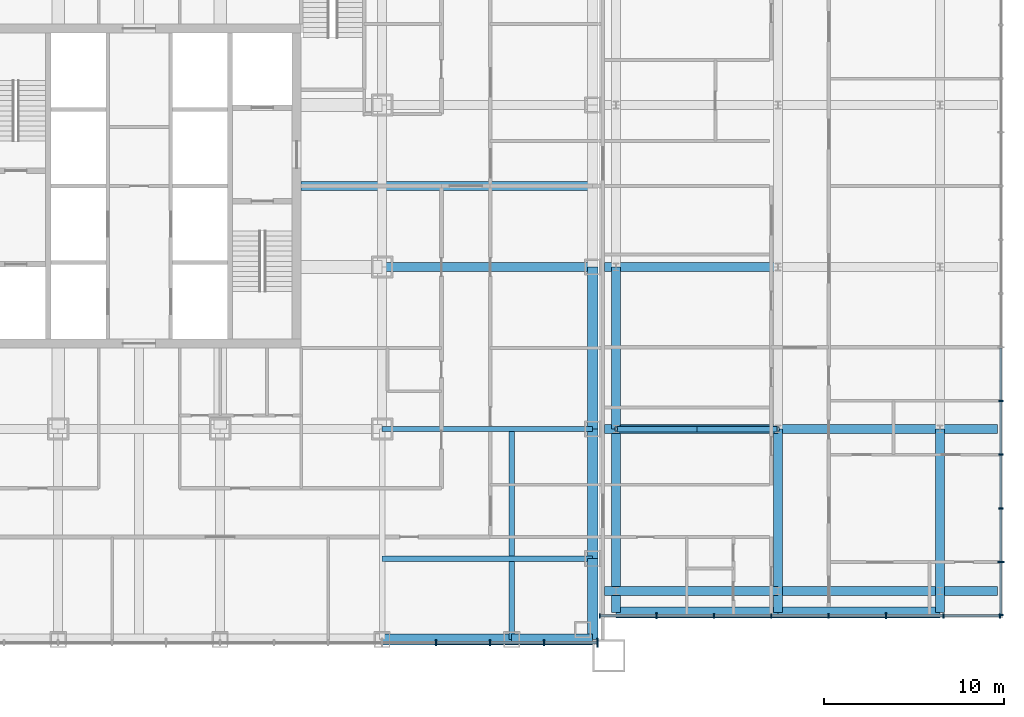
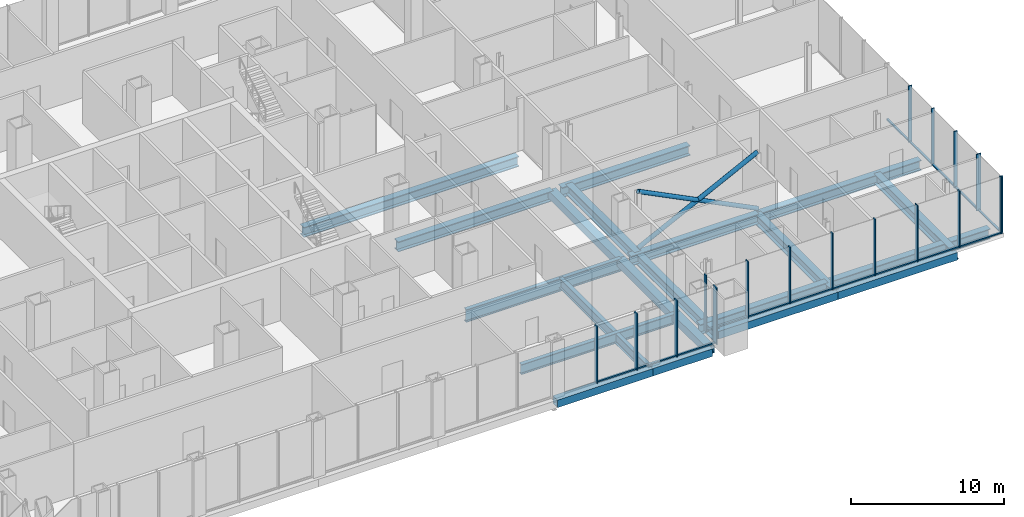
# One storey, part 10 of 25: 34 members, 21 beams, 3 elements without a shape of their own.
"""IFC4 building model written with IfcOpenShell, lengths in metres."""

from ifc_helpers import new_model, si_unit, direction, frame, origin, origin_2d, place, context, subcontext, project, spatial, rectangle, hollow_rectangle, hollow_circle, i_section, extrude, material, layer, layer_set, material_profile, profile_set, type_object, element, aggregate, save


model = new_model("IFC4")

# Units and contexts
model_context = context("Model", 3, precision=1e-05, world=origin(), true_north=direction((0.0, 1.0)))
body_context = subcontext(model_context, "Body", "Model", "MODEL_VIEW")
ifc_project = project(units=[si_unit("LENGTHUNIT", "METRE"), si_unit("AREAUNIT", "SQUARE_METRE"), si_unit("VOLUMEUNIT", "CUBIC_METRE"), si_unit("PLANEANGLEUNIT", "RADIAN"), si_unit("MASSUNIT", "GRAM", prefix="KILO")], contexts=[model_context])

# Site, building, storey
site_placement = place(None, origin())
site = spatial("IfcSite", under=ifc_project, at=site_placement, CompositionType="ELEMENT")
building_placement = place(site_placement, origin())
building = spatial("IfcBuilding", under=site, at=building_placement, Name="Malebo Sky Hospital", CompositionType="ELEMENT")
storey_placement = place(building_placement, frame((0.0, 0.0, 16.5)))
storey = spatial("IfcBuildingStorey", under=building, at=storey_placement, Name="L03", CompositionType="ELEMENT", Elevation=16.5)

# Curtain wall, members
ifc_material_1 = material(Name="Anodised aluminium, natural silver", Category="aluminium")
ifc_layer_1 = layer(ifc_material_1, 0.25)
ifc_layer_set_1 = layer_set([ifc_layer_1], Name="PODIUM ENTRANCE BAY CURTAIN WALL")
curtain_wall_type_1 = type_object("IfcCurtainWallType", Name="PODIUM ENTRANCE BAY CURTAIN WALL", PredefinedType="NOTDEFINED", material=ifc_layer_set_1)
curtain_wall_1_placement = place(storey_placement, origin())
curtain_wall_1 = element("IfcCurtainWall", 1, at=curtain_wall_1_placement, inside=storey, type_object=curtain_wall_type_1, Name="BAY curtain wall BS", PredefinedType="NOTDEFINED")
ifc_material_profile_1 = material_profile(ifc_material_1, rectangle(XDim=0.14990234375, YDim=0.10009765625, at=origin_2d()), Name="ALUMINIUM TRANSOM 150x100")
ifc_profile_set_1 = profile_set([ifc_material_profile_1], Name="Anodised aluminium, natural silver")
member_type_1 = type_object("IfcMemberType", Name="ALUMINIUM TRANSOM 150x100", PredefinedType="USERDEFINED", material=ifc_profile_set_1)
member_1_placement = place(storey_placement, frame((76.53759765625, 36.625, 0.050048828125), z_axis=(1.0, 0.0, 0.0), x_axis=(0.0, 1.0, 0.0)))
member_1 = element("IfcMember", 2, at=member_1_placement, type_object=member_type_1, Name="Transom 15", ObjectType="TRANSOM", PredefinedType="USERDEFINED", context=body_context, shape_type="SweptSolid", body=[
    extrude(rectangle(XDim=0.14990234375, YDim=0.10009765625, at=origin_2d()), origin(), (0.0, 0.0, 1.0), 2.9248046875),
])
member_2_placement = place(storey_placement, frame((79.53759765625, 36.625, 0.050048828125), z_axis=(1.0, 0.0, 0.0), x_axis=(0.0, 1.0, 0.0)))
member_2 = element("IfcMember", 3, at=member_2_placement, type_object=member_type_1, Name="Transom 16", ObjectType="TRANSOM", PredefinedType="USERDEFINED", context=body_context, shape_type="SweptSolid", body=[
    extrude(rectangle(XDim=0.14990234375, YDim=0.10009765625, at=origin_2d()), origin(), (0.0, 0.0, 1.0), 2.9248046875),
])
member_3_placement = place(storey_placement, frame((82.53759765625, 36.625, 0.050048828125), z_axis=(1.0, 0.0, 0.0), x_axis=(0.0, 1.0, 0.0)))
member_3 = element("IfcMember", 4, at=member_3_placement, type_object=member_type_1, Name="Transom 17", ObjectType="TRANSOM", PredefinedType="USERDEFINED", context=body_context, shape_type="SweptSolid", body=[
    extrude(rectangle(XDim=0.14990234375, YDim=0.10009765625, at=origin_2d()), origin(), (0.0, 0.0, 1.0), 2.887451171875),
])

ifc_layer_2 = layer(ifc_material_1, 0.25)
ifc_layer_set_2 = layer_set([ifc_layer_2], Name="PODIUM CURTAIN WALL")
curtain_wall_type_2 = type_object("IfcCurtainWallType", Name="PODIUM CURTAIN WALL", PredefinedType="NOTDEFINED", material=ifc_layer_set_2)
curtain_wall_2_placement = place(storey_placement, origin())
curtain_wall_2 = element("IfcCurtainWall", 5, at=curtain_wall_2_placement, inside=storey, type_object=curtain_wall_type_2, Name="POD curtain wall ES", PredefinedType="NOTDEFINED")
member_4_placement = place(storey_placement, frame((85.625, 38.125, 0.050048828125), z_axis=(1.0, 0.0, 0.0), x_axis=(0.0, 1.0, 0.0)))
member_4 = element("IfcMember", 6, at=member_4_placement, type_object=member_type_1, Name="Transom 1", ObjectType="TRANSOM", PredefinedType="USERDEFINED", context=body_context, shape_type="SweptSolid", body=[
    extrude(rectangle(XDim=0.14990234375, YDim=0.10009765625, at=origin_2d()), origin(), (0.0, 0.0, 1.0), 3.076904296875),
])
member_5_placement = place(storey_placement, frame((88.77685546875, 38.125, 0.050048828125), z_axis=(1.0, 0.0, 0.0), x_axis=(0.0, 1.0, 0.0)))
member_5 = element("IfcMember", 7, at=member_5_placement, type_object=member_type_1, Name="Transom 2", ObjectType="TRANSOM", PredefinedType="USERDEFINED", context=body_context, shape_type="SweptSolid", body=[
    extrude(rectangle(XDim=0.14990234375, YDim=0.10009765625, at=origin_2d()), origin(), (0.0, 0.0, 1.0), 3.1142578125),
])
member_6_placement = place(storey_placement, frame((91.966064453125, 38.125, 0.050048828125), z_axis=(1.0, 0.0, 0.0), x_axis=(0.0, 1.0, 0.0)))
member_6 = element("IfcMember", 8, at=member_6_placement, type_object=member_type_1, Name="Transom 3", ObjectType="TRANSOM", PredefinedType="USERDEFINED", context=body_context, shape_type="SweptSolid", body=[
    extrude(rectangle(XDim=0.14990234375, YDim=0.10009765625, at=origin_2d()), origin(), (0.0, 0.0, 1.0), 3.1142578125),
])
member_7_placement = place(storey_placement, frame((95.155517578125, 38.125, 0.050048828125), z_axis=(1.0, 0.0, 0.0), x_axis=(0.0, 1.0, 0.0)))
member_7 = element("IfcMember", 9, at=member_7_placement, type_object=member_type_1, Name="Transom 4", ObjectType="TRANSOM", PredefinedType="USERDEFINED", context=body_context, shape_type="SweptSolid", body=[
    extrude(rectangle(XDim=0.14990234375, YDim=0.10009765625, at=origin_2d()), origin(), (0.0, 0.0, 1.0), 3.114013671875),
])
member_8_placement = place(storey_placement, frame((98.344482421875, 38.125, 0.050048828125), z_axis=(1.0, 0.0, 0.0), x_axis=(0.0, 1.0, 0.0)))
member_8 = element("IfcMember", 10, at=member_8_placement, type_object=member_type_1, Name="Transom 5", ObjectType="TRANSOM", PredefinedType="USERDEFINED", context=body_context, shape_type="SweptSolid", body=[
    extrude(rectangle(XDim=0.14990234375, YDim=0.10009765625, at=origin_2d()), origin(), (0.0, 0.0, 1.0), 3.114501953125),
])
member_9_placement = place(storey_placement, frame((101.533935546875, 38.125, 0.050048828125), z_axis=(1.0, 0.0, 0.0), x_axis=(0.0, 1.0, 0.0)))
member_9 = element("IfcMember", 11, at=member_9_placement, type_object=member_type_1, Name="Transom 6", ObjectType="TRANSOM", PredefinedType="USERDEFINED", context=body_context, shape_type="SweptSolid", body=[
    extrude(rectangle(XDim=0.14990234375, YDim=0.10009765625, at=origin_2d()), origin(), (0.0, 0.0, 1.0), 3.1142578125),
])
member_10_placement = place(storey_placement, frame((104.72314453125, 38.125, 0.050048828125), z_axis=(1.0, 0.0, 0.0), x_axis=(0.0, 1.0, 0.0)))
member_10 = element("IfcMember", 12, at=member_10_placement, type_object=member_type_1, Name="Transom 7", ObjectType="TRANSOM", PredefinedType="USERDEFINED", context=body_context, shape_type="SweptSolid", body=[
    extrude(rectangle(XDim=0.14990234375, YDim=0.10009765625, at=origin_2d()), origin(), (0.0, 0.0, 1.0), 3.076904296875),
])

curtain_wall_3_placement = place(storey_placement, origin())
curtain_wall_3 = element("IfcCurtainWall", 13, at=curtain_wall_3_placement, inside=storey, type_object=curtain_wall_type_2, Name="POD curtain wall EE", PredefinedType="NOTDEFINED")
member_11_placement = place(storey_placement, frame((107.875, 38.199951171875, 0.050048828125), z_axis=(0.0, 1.0, 0.0), x_axis=(-1.0, 0.0, 0.0)))
member_11 = element("IfcMember", 14, at=member_11_placement, type_object=member_type_1, Name="Transom 1", ObjectType="TRANSOM", PredefinedType="USERDEFINED", context=body_context, shape_type="SweptSolid", body=[
    extrude(rectangle(XDim=0.14990234375, YDim=0.10009765625, at=origin_2d()), origin(), (0.0, 0.0, 1.0), 2.8720703125),
])
member_12_placement = place(storey_placement, frame((107.875, 41.14697265625, 0.050048828125), z_axis=(0.0, 1.0, 0.0), x_axis=(-1.0, 0.0, 0.0)))
member_12 = element("IfcMember", 15, at=member_12_placement, type_object=member_type_1, Name="Transom 2", ObjectType="TRANSOM", PredefinedType="USERDEFINED", context=body_context, shape_type="SweptSolid", body=[
    extrude(rectangle(XDim=0.14990234375, YDim=0.10009765625, at=origin_2d()), origin(), (0.0, 0.0, 1.0), 2.909423828125),
])
member_13_placement = place(storey_placement, frame((107.875, 44.13134765625, 0.050048828125), z_axis=(0.0, 1.0, 0.0), x_axis=(-1.0, 0.0, 0.0)))
member_13 = element("IfcMember", 16, at=member_13_placement, type_object=member_type_1, Name="Transom 3", ObjectType="TRANSOM", PredefinedType="USERDEFINED", context=body_context, shape_type="SweptSolid", body=[
    extrude(rectangle(XDim=0.14990234375, YDim=0.10009765625, at=origin_2d()), origin(), (0.0, 0.0, 1.0), 2.9091796875),
])
member_14_placement = place(storey_placement, frame((107.875, 47.115478515625, 0.050048828125), z_axis=(0.0, 1.0, 0.0), x_axis=(-1.0, 0.0, 0.0)))
member_14 = element("IfcMember", 17, at=member_14_placement, type_object=member_type_1, Name="Transom 4", ObjectType="TRANSOM", PredefinedType="USERDEFINED", context=body_context, shape_type="SweptSolid", body=[
    extrude(rectangle(XDim=0.14990234375, YDim=0.10009765625, at=origin_2d()), origin(), (0.0, 0.0, 1.0), 2.909423828125),
])
member_15_placement = place(storey_placement, frame((107.875, 50.10009765625, 0.050048828125), z_axis=(0.0, 1.0, 0.0), x_axis=(-1.0, 0.0, 0.0)))
member_15 = element("IfcMember", 18, at=member_15_placement, type_object=member_type_1, Name="Transom 5", ObjectType="TRANSOM", PredefinedType="USERDEFINED", context=body_context, shape_type="SweptSolid", body=[
    extrude(rectangle(XDim=0.14990234375, YDim=0.10009765625, at=origin_2d()), origin(), (0.0, 0.0, 1.0), 2.909423828125),
])

# Member
ifc_material_profile_2 = material_profile(ifc_material_1, rectangle(XDim=0.074951171875, YDim=0.25, at=origin_2d()), Name="CW3 ALUMINIUM FIN MULLION 75x250")
ifc_profile_set_2 = profile_set([ifc_material_profile_2], Name="Anodised aluminium, natural silver")
member_type_2 = type_object("IfcMemberType", Name="CW3 ALUMINIUM FIN MULLION 75x250", PredefinedType="MULLION", material=ifc_profile_set_2)
member_16_placement = place(storey_placement, frame((85.58740234375, 38.125, 0.0), z_axis=(0.0, 0.0, 1.0), x_axis=(1.0, 0.0, 0.0)))
member_16 = element("IfcMember", 19, at=member_16_placement, type_object=member_type_2, Name="Fin mullion 1", PredefinedType="MULLION", context=body_context, shape_type="SweptSolid", body=[
    extrude(rectangle(XDim=0.074951171875, YDim=0.25, at=origin_2d()), origin(), (0.0, 0.0, 1.0), 4.5),
])

member_17_placement = place(storey_placement, frame((91.9287109375, 38.125, 0.0), z_axis=(0.0, 0.0, 1.0), x_axis=(1.0, 0.0, 0.0)))
member_17 = element("IfcMember", 20, at=member_17_placement, type_object=member_type_2, Name="Fin mullion 3", PredefinedType="MULLION", context=body_context, shape_type="SweptSolid", body=[
    extrude(rectangle(XDim=0.074951171875, YDim=0.25, at=origin_2d()), origin(), (0.0, 0.0, 1.0), 4.5),
])

member_18_placement = place(storey_placement, frame((95.117919921875, 38.125, 0.0), z_axis=(0.0, 0.0, 1.0), x_axis=(1.0, 0.0, 0.0)))
member_18 = element("IfcMember", 21, at=member_18_placement, type_object=member_type_2, Name="Fin mullion 4", PredefinedType="MULLION", context=body_context, shape_type="SweptSolid", body=[
    extrude(rectangle(XDim=0.074951171875, YDim=0.25, at=origin_2d()), origin(), (0.0, 0.0, 1.0), 4.5),
])

member_19_placement = place(storey_placement, frame((98.30712890625, 38.125, 0.0), z_axis=(0.0, 0.0, 1.0), x_axis=(1.0, 0.0, 0.0)))
member_19 = element("IfcMember", 22, at=member_19_placement, type_object=member_type_2, Name="Fin mullion 5", PredefinedType="MULLION", context=body_context, shape_type="SweptSolid", body=[
    extrude(rectangle(XDim=0.074951171875, YDim=0.25, at=origin_2d()), origin(), (0.0, 0.0, 1.0), 4.5),
])

member_20_placement = place(storey_placement, frame((104.685791015625, 38.125, 0.0), z_axis=(0.0, 0.0, 1.0), x_axis=(1.0, 0.0, 0.0)))
member_20 = element("IfcMember", 23, at=member_20_placement, type_object=member_type_2, Name="Fin mullion 7", PredefinedType="MULLION", context=body_context, shape_type="SweptSolid", body=[
    extrude(rectangle(XDim=0.074951171875, YDim=0.25, at=origin_2d()), origin(), (0.0, 0.0, 1.0), 4.5),
])

member_21_placement = place(storey_placement, frame((107.83740234375, 38.125, 0.0), z_axis=(0.0, 0.0, 1.0), x_axis=(1.0, 0.0, 0.0)))
member_21 = element("IfcMember", 24, at=member_21_placement, type_object=member_type_2, Name="Fin mullion 8", PredefinedType="MULLION", context=body_context, shape_type="SweptSolid", body=[
    extrude(rectangle(XDim=0.074951171875, YDim=0.25, at=origin_2d()), origin(), (0.0, 0.0, 1.0), 4.5),
])

member_22_placement = place(storey_placement, frame((107.875, 38.16259765625, 0.0), z_axis=(0.0, 0.0, 1.0), x_axis=(0.0, 1.0, 0.0)))
member_22 = element("IfcMember", 25, at=member_22_placement, type_object=member_type_2, Name="Fin mullion 1", PredefinedType="MULLION", context=body_context, shape_type="SweptSolid", body=[
    extrude(rectangle(XDim=0.074951171875, YDim=0.25, at=origin_2d()), origin(), (0.0, 0.0, 1.0), 4.5),
])

member_23_placement = place(storey_placement, frame((107.875, 44.09375, 0.0), z_axis=(0.0, 0.0, 1.0), x_axis=(0.0, 1.0, 0.0)))
member_23 = element("IfcMember", 26, at=member_23_placement, type_object=member_type_2, Name="Fin mullion 3", PredefinedType="MULLION", context=body_context, shape_type="SweptSolid", body=[
    extrude(rectangle(XDim=0.074951171875, YDim=0.25, at=origin_2d()), origin(), (0.0, 0.0, 1.0), 4.5),
])

member_24_placement = place(storey_placement, frame((107.875, 47.078125, 0.0), z_axis=(0.0, 0.0, 1.0), x_axis=(0.0, 1.0, 0.0)))
member_24 = element("IfcMember", 27, at=member_24_placement, type_object=member_type_2, Name="Fin mullion 4", PredefinedType="MULLION", context=body_context, shape_type="SweptSolid", body=[
    extrude(rectangle(XDim=0.074951171875, YDim=0.25, at=origin_2d()), origin(), (0.0, 0.0, 1.0), 4.5),
])

member_25_placement = place(storey_placement, frame((107.875, 50.0625, 0.0), z_axis=(0.0, 0.0, 1.0), x_axis=(0.0, 1.0, 0.0)))
member_25 = element("IfcMember", 28, at=member_25_placement, type_object=member_type_2, Name="Fin mullion 5", PredefinedType="MULLION", context=body_context, shape_type="SweptSolid", body=[
    extrude(rectangle(XDim=0.074951171875, YDim=0.25, at=origin_2d()), origin(), (0.0, 0.0, 1.0), 4.5),
])

ifc_material_profile_3 = material_profile(ifc_material_1, rectangle(XDim=0.074951171875, YDim=0.35009765625, at=origin_2d()), Name="CW3 ALUMINIUM FIN MULLION 75x350")
ifc_profile_set_3 = profile_set([ifc_material_profile_3], Name="Anodised aluminium, natural silver")
member_type_3 = type_object("IfcMemberType", Name="CW3 ALUMINIUM FIN MULLION 75x350", PredefinedType="MULLION", material=ifc_profile_set_3)
member_26_placement = place(storey_placement, frame((88.7392578125, 38.125, 0.0), z_axis=(0.0, 0.0, 1.0), x_axis=(1.0, 0.0, 0.0)))
member_26 = element("IfcMember", 29, at=member_26_placement, type_object=member_type_3, Name="Fin mullion 2", PredefinedType="MULLION", context=body_context, shape_type="SweptSolid", body=[
    extrude(rectangle(XDim=0.074951171875, YDim=0.35009765625, at=origin_2d()), origin(), (0.0, 0.0, 1.0), 4.5),
])

member_27_placement = place(storey_placement, frame((101.496337890625, 38.125, 0.0), z_axis=(0.0, 0.0, 1.0), x_axis=(1.0, 0.0, 0.0)))
member_27 = element("IfcMember", 30, at=member_27_placement, type_object=member_type_3, Name="Fin mullion 6", PredefinedType="MULLION", context=body_context, shape_type="SweptSolid", body=[
    extrude(rectangle(XDim=0.074951171875, YDim=0.35009765625, at=origin_2d()), origin(), (0.0, 0.0, 1.0), 4.5),
])

aggregate(curtain_wall_2, [member_16, member_26, member_17, member_18, member_19, member_27, member_20, member_21, member_4, member_5, member_6, member_7, member_8, member_9, member_10])

member_28_placement = place(storey_placement, frame((107.875, 41.109375, 0.0), z_axis=(0.0, 0.0, 1.0), x_axis=(0.0, 1.0, 0.0)))
member_28 = element("IfcMember", 31, at=member_28_placement, type_object=member_type_3, Name="Fin mullion 2", PredefinedType="MULLION", context=body_context, shape_type="SweptSolid", body=[
    extrude(rectangle(XDim=0.074951171875, YDim=0.35009765625, at=origin_2d()), origin(), (0.0, 0.0, 1.0), 4.5),
])

aggregate(curtain_wall_3, [member_22, member_28, member_23, member_24, member_25, member_11, member_12, member_13, member_14, member_15])

ifc_material_profile_4 = material_profile(ifc_material_1, rectangle(XDim=0.074951171875, YDim=0.35009765625, at=origin_2d()), Name="CW4 ALUMINIUM FIN MULLION 75x350")
ifc_profile_set_4 = profile_set([ifc_material_profile_4], Name="Anodised aluminium, natural silver")
member_type_4 = type_object("IfcMemberType", Name="CW4 ALUMINIUM FIN MULLION 75x350", PredefinedType="MULLION", material=ifc_profile_set_4)
member_29_placement = place(storey_placement, frame((76.5, 36.625, 0.0), z_axis=(0.0, 0.0, 1.0), x_axis=(1.0, 0.0, 0.0)))
member_29 = element("IfcMember", 32, at=member_29_placement, type_object=member_type_4, Name="Fin mullion 15", PredefinedType="MULLION", context=body_context, shape_type="SweptSolid", body=[
    extrude(rectangle(XDim=0.074951171875, YDim=0.35009765625, at=origin_2d()), origin(), (0.0, 0.0, 1.0), 4.5),
])

member_30_placement = place(storey_placement, frame((79.5, 36.625, 0.0), z_axis=(0.0, 0.0, 1.0), x_axis=(1.0, 0.0, 0.0)))
member_30 = element("IfcMember", 33, at=member_30_placement, type_object=member_type_4, Name="Fin mullion 16", PredefinedType="MULLION", context=body_context, shape_type="SweptSolid", body=[
    extrude(rectangle(XDim=0.074951171875, YDim=0.35009765625, at=origin_2d()), origin(), (0.0, 0.0, 1.0), 4.5),
])

member_31_placement = place(storey_placement, frame((82.5, 36.625, 0.0), z_axis=(0.0, 0.0, 1.0), x_axis=(1.0, 0.0, 0.0)))
member_31 = element("IfcMember", 34, at=member_31_placement, type_object=member_type_4, Name="Fin mullion 17", PredefinedType="MULLION", context=body_context, shape_type="SweptSolid", body=[
    extrude(rectangle(XDim=0.074951171875, YDim=0.35009765625, at=origin_2d()), origin(), (0.0, 0.0, 1.0), 4.5),
])

ifc_material_profile_5 = material_profile(ifc_material_1, rectangle(XDim=0.074951171875, YDim=0.5, at=origin_2d()), Name="CW4 ALUMINIUM FIN MULLION 75x500")
ifc_profile_set_5 = profile_set([ifc_material_profile_5], Name="Anodised aluminium, natural silver")
member_type_5 = type_object("IfcMemberType", Name="CW4 ALUMINIUM FIN MULLION 75x500", PredefinedType="MULLION", material=ifc_profile_set_5)
member_32_placement = place(storey_placement, frame((85.46240234375, 36.625, 0.0), z_axis=(0.0, 0.0, 1.0), x_axis=(1.0, 0.0, 0.0)))
member_32 = element("IfcMember", 35, at=member_32_placement, type_object=member_type_5, Name="Fin mullion 18", PredefinedType="MULLION", context=body_context, shape_type="SweptSolid", body=[
    extrude(rectangle(XDim=0.074951171875, YDim=0.5, at=origin_2d()), origin(), (0.0, 0.0, 1.0), 4.5),
])

aggregate(curtain_wall_1, [member_29, member_30, member_31, member_32, member_1, member_2, member_3])

# Beams
ifc_material_2 = material(Name="Steel S460", Category="steel")
ifc_material_profile_6 = material_profile(ifc_material_2, hollow_rectangle(XDim=0.60009765625, YDim=0.60009765625, WallThickness=0.0400390625, at=origin_2d()), Name="BOX 600x600x40")
ifc_profile_set_6 = profile_set([ifc_material_profile_6], Name="Steel S460")
beam_type_1 = type_object("IfcBeamType", Name="EDGE BEAM BOX 600x600x40", PredefinedType="BEAM", material=ifc_profile_set_6)
beam_1_placement = place(storey_placement, frame((85.199951171875, 36.800048828125, -0.60009765625), z_axis=(0.0, 1.0, 0.0), x_axis=(-1.0, 0.0, 0.0)))
element("IfcBeam", 36, at=beam_1_placement, inside=storey, type_object=beam_type_1, Name="Beam 031 L03", PredefinedType="BEAM", context=body_context, shape_type="SweptSolid", body=[
    extrude(hollow_rectangle(XDim=0.60009765625, YDim=0.60009765625, WallThickness=0.0400390625, at=origin_2d()), origin(), (0.0, 0.0, 1.0), 4.5),
])
beam_2_placement = place(storey_placement, frame((85.199951171875, 41.300048828125, -0.60009765625), z_axis=(0.0, 1.0, 0.0), x_axis=(-1.0, 0.0, 0.0)))
element("IfcBeam", 37, at=beam_2_placement, inside=storey, type_object=beam_type_1, Name="Beam 032 L03", PredefinedType="BEAM", context=body_context, shape_type="SweptSolid", body=[
    extrude(hollow_rectangle(XDim=0.60009765625, YDim=0.60009765625, WallThickness=0.0400390625, at=origin_2d()), origin(), (0.0, 0.0, 1.0), 7.199951171875),
])
beam_3_placement = place(storey_placement, frame((85.199951171875, 48.5, -0.60009765625), z_axis=(0.0, 1.0, 0.0), x_axis=(-1.0, 0.0, 0.0)))
element("IfcBeam", 38, at=beam_3_placement, inside=storey, type_object=beam_type_1, Name="Beam 033 L03", PredefinedType="BEAM", context=body_context, shape_type="SweptSolid", body=[
    extrude(hollow_rectangle(XDim=0.60009765625, YDim=0.60009765625, WallThickness=0.0400390625, at=origin_2d()), origin(), (0.0, 0.0, 1.0), 9.0),
])
beam_4_placement = place(storey_placement, frame((73.5, 36.800048828125, -0.60009765625), z_axis=(1.0, 0.0, 0.0), x_axis=(0.0, 1.0, 0.0)))
element("IfcBeam", 39, at=beam_4_placement, inside=storey, type_object=beam_type_1, Name="Beam 043 L03", PredefinedType="BEAM", context=body_context, shape_type="SweptSolid", body=[
    extrude(hollow_rectangle(XDim=0.60009765625, YDim=0.60009765625, WallThickness=0.0400390625, at=origin_2d()), origin(), (0.0, 0.0, 1.0), 7.199951171875),
])
beam_5_placement = place(storey_placement, frame((80.699951171875, 36.800048828125, -0.60009765625), z_axis=(1.0, 0.0, 0.0), x_axis=(0.0, 1.0, 0.0)))
element("IfcBeam", 40, at=beam_5_placement, inside=storey, type_object=beam_type_1, Name="Beam 044 L03", PredefinedType="BEAM", context=body_context, shape_type="SweptSolid", body=[
    extrude(hollow_rectangle(XDim=0.60009765625, YDim=0.60009765625, WallThickness=0.0400390625, at=origin_2d()), origin(), (0.0, 0.0, 1.0), 4.5),
])
for number, where, z_axis, x_axis, name in (
    (41, (86.5, 38.300048828125, -0.60009765625), (1.0, 0.0, 0.0), (0.0, 1.0, 0.0), "Beam E028 L03"),
    (42, (95.5, 38.300048828125, -0.60009765625), (1.0, 0.0, 0.0), (0.0, 1.0, 0.0), "Beam E029 L03"),
):
    element("IfcBeam", number, at=place(storey_placement, frame(where, z_axis=z_axis, x_axis=x_axis)), inside=storey, type_object=beam_type_1, Name=name, PredefinedType="BEAM", context=body_context, shape_type="SweptSolid", body=[
        extrude(hollow_rectangle(XDim=0.60009765625, YDim=0.60009765625, WallThickness=0.0400390625, at=origin_2d()), origin(), (0.0, 0.0, 1.0), 9.0),
    ])
ifc_material_3 = material(Name="Steel S355", Category="steel")
ifc_material_profile_7 = material_profile(ifc_material_3, i_section(OverallWidth=0.300048828125, OverallDepth=0.800048828125, WebThickness=0.017578125, FlangeThickness=0.032958984375, FilletRadius=0.030029296875, at=origin_2d()), Name="HEB 800")
ifc_profile_set_7 = profile_set([ifc_material_profile_7], Name="Steel S355")
beam_type_2 = type_object("IfcBeamType", Name="FLOOR BEAM HEB 800", PredefinedType="BEAM", material=ifc_profile_set_7)
for number, where, z_axis, x_axis, name in (
    (43, (80.699951171875, 36.800048828125, -0.699951171875), (0.0, 1.0, 0.0), (-1.0, 0.0, 0.0), "Beam 029 L03"),
    (44, (73.5, 41.300048828125, -0.699951171875), (1.0, 0.0, 0.0), (0.0, 1.0, 0.0), "Beam 046 L03"),
):
    element("IfcBeam", number, at=place(storey_placement, frame(where, z_axis=z_axis, x_axis=x_axis)), inside=storey, type_object=beam_type_2, Name=name, PredefinedType="BEAM", context=body_context, shape_type="SweptSolid", body=[
        extrude(i_section(OverallWidth=0.300048828125, OverallDepth=0.800048828125, WebThickness=0.017578125, FlangeThickness=0.032958984375, FilletRadius=0.030029296875, at=origin_2d()), origin(), (0.0, 0.0, 1.0), 11.699951171875),
    ])
ifc_material_profile_8 = material_profile(ifc_material_3, i_section(OverallWidth=0.5, OverallDepth=0.800048828125, WebThickness=0.030029296875, FlangeThickness=0.050048828125, at=origin_2d()), Name="PG 800x500x30x50")
ifc_profile_set_8 = profile_set([ifc_material_profile_8], Name="Steel S355")
beam_type_3 = type_object("IfcBeamType", Name="FLOOR BEAM PG 800x500x30x50", PredefinedType="BEAM", material=ifc_profile_set_8)
beam_6_placement = place(storey_placement, frame((73.5, 57.5, -0.699951171875), z_axis=(1.0, 0.0, 0.0), x_axis=(0.0, 1.0, 0.0)))
element("IfcBeam", 45, at=beam_6_placement, inside=storey, type_object=beam_type_3, Name="Beam 055 L03", PredefinedType="BEAM", context=body_context, shape_type="SweptSolid", body=[
    extrude(i_section(OverallWidth=0.5, OverallDepth=0.800048828125, WebThickness=0.030029296875, FlangeThickness=0.050048828125, at=origin_2d()), origin(), (0.0, 0.0, 1.0), 11.699951171875),
])
beam_7_placement = place(storey_placement, frame((69.0, 62.0, -0.699951171875), z_axis=(1.0, 0.0, 0.0), x_axis=(0.0, 1.0, 0.0)))
element("IfcBeam", 46, at=beam_7_placement, inside=storey, type_object=beam_type_3, Name="Beam 057 L03", PredefinedType="BEAM", context=body_context, shape_type="SweptSolid", body=[
    extrude(i_section(OverallWidth=0.5, OverallDepth=0.800048828125, WebThickness=0.030029296875, FlangeThickness=0.050048828125, at=origin_2d()), origin(), (0.0, 0.0, 1.0), 16.199951171875),
])
beam_8_placement = place(storey_placement, frame((86.5, 38.300048828125, -0.699951171875), z_axis=(0.0, 1.0, 0.0), x_axis=(-1.0, 0.0, 0.0)))
element("IfcBeam", 47, at=beam_8_placement, inside=storey, type_object=beam_type_3, Name="Beam E001 L03", PredefinedType="BEAM", context=body_context, shape_type="SweptSolid", body=[
    extrude(i_section(OverallWidth=0.5, OverallDepth=0.800048828125, WebThickness=0.030029296875, FlangeThickness=0.050048828125, at=origin_2d()), origin(), (0.0, 0.0, 1.0), 10.199951171875),
])
beam_9_placement = place(storey_placement, frame((86.5, 48.5, -0.699951171875), z_axis=(0.0, 1.0, 0.0), x_axis=(-1.0, 0.0, 0.0)))
element("IfcBeam", 48, at=beam_9_placement, inside=storey, type_object=beam_type_3, Name="Beam E002 L03", PredefinedType="BEAM", context=body_context, shape_type="SweptSolid", body=[
    extrude(i_section(OverallWidth=0.5, OverallDepth=0.800048828125, WebThickness=0.030029296875, FlangeThickness=0.050048828125, at=origin_2d()), origin(), (0.0, 0.0, 1.0), 9.0),
])
for number, where, z_axis, x_axis, name in (
    (49, (95.5, 38.300048828125, -0.699951171875), (0.0, 1.0, 0.0), (-1.0, 0.0, 0.0), "Beam E006 L03"),
    (50, (104.5, 38.300048828125, -0.699951171875), (0.0, 1.0, 0.0), (-1.0, 0.0, 0.0), "Beam E011 L03"),
):
    element("IfcBeam", number, at=place(storey_placement, frame(where, z_axis=z_axis, x_axis=x_axis)), inside=storey, type_object=beam_type_3, Name=name, PredefinedType="BEAM", context=body_context, shape_type="SweptSolid", body=[
        extrude(i_section(OverallWidth=0.5, OverallDepth=0.800048828125, WebThickness=0.030029296875, FlangeThickness=0.050048828125, at=origin_2d()), origin(), (0.0, 0.0, 1.0), 10.199951171875),
    ])
beam_10_placement = place(storey_placement, frame((85.85009765625, 39.5, -0.699951171875), z_axis=(1.0, 0.0, 0.0), x_axis=(0.0, 1.0, 0.0)))
element("IfcBeam", 51, at=beam_10_placement, inside=storey, type_object=beam_type_3, Name="Beam E016 L03", PredefinedType="BEAM", context=body_context, shape_type="SweptSolid", body=[
    extrude(i_section(OverallWidth=0.5, OverallDepth=0.800048828125, WebThickness=0.030029296875, FlangeThickness=0.050048828125, at=origin_2d()), origin(), (0.0, 0.0, 1.0), 9.64990234375),
])
beam_11_placement = place(storey_placement, frame((95.5, 39.5, -0.699951171875), z_axis=(1.0, 0.0, 0.0), x_axis=(0.0, 1.0, 0.0)))
element("IfcBeam", 52, at=beam_11_placement, inside=storey, type_object=beam_type_3, Name="Beam E017 L03", PredefinedType="BEAM", context=body_context, shape_type="SweptSolid", body=[
    extrude(i_section(OverallWidth=0.5, OverallDepth=0.800048828125, WebThickness=0.030029296875, FlangeThickness=0.050048828125, at=origin_2d()), origin(), (0.0, 0.0, 1.0), 12.199951171875),
])
beam_12_placement = place(storey_placement, frame((85.85009765625, 48.5, -0.699951171875), z_axis=(1.0, 0.0, 0.0), x_axis=(0.0, 1.0, 0.0)))
element("IfcBeam", 53, at=beam_12_placement, inside=storey, type_object=beam_type_3, Name="Beam E018 L03", PredefinedType="BEAM", context=body_context, shape_type="SweptSolid", body=[
    extrude(i_section(OverallWidth=0.5, OverallDepth=0.800048828125, WebThickness=0.030029296875, FlangeThickness=0.050048828125, at=origin_2d()), origin(), (0.0, 0.0, 1.0), 9.64990234375),
])
beam_13_placement = place(storey_placement, frame((95.5, 48.5, -0.699951171875), z_axis=(1.0, 0.0, 0.0), x_axis=(0.0, 1.0, 0.0)))
element("IfcBeam", 54, at=beam_13_placement, inside=storey, type_object=beam_type_3, Name="Beam E019 L03", PredefinedType="BEAM", context=body_context, shape_type="SweptSolid", body=[
    extrude(i_section(OverallWidth=0.5, OverallDepth=0.800048828125, WebThickness=0.030029296875, FlangeThickness=0.050048828125, at=origin_2d()), origin(), (0.0, 0.0, 1.0), 12.199951171875),
])
beam_14_placement = place(storey_placement, frame((85.85009765625, 57.5, -0.699951171875), z_axis=(1.0, 0.0, 0.0), x_axis=(0.0, 1.0, 0.0)))
element("IfcBeam", 55, at=beam_14_placement, inside=storey, type_object=beam_type_3, Name="Beam E020 L03", PredefinedType="BEAM", context=body_context, shape_type="SweptSolid", body=[
    extrude(i_section(OverallWidth=0.5, OverallDepth=0.800048828125, WebThickness=0.030029296875, FlangeThickness=0.050048828125, at=origin_2d()), origin(), (0.0, 0.0, 1.0), 9.64990234375),
])
ifc_material_profile_9 = material_profile(ifc_material_3, i_section(OverallWidth=0.300048828125, OverallDepth=1.0, WebThickness=0.01904296875, FlangeThickness=0.035888671875, FilletRadius=0.030029296875, at=origin_2d()), Name="HEB 1000")
ifc_profile_set_9 = profile_set([ifc_material_profile_9], Name="Steel S355")
beam_type_4 = type_object("IfcBeamType", Name="FLOOR GIRDER HEB 1000", PredefinedType="BEAM", material=ifc_profile_set_9)
beam_15_placement = place(storey_placement, frame((73.5, 48.5, -0.800048828125), z_axis=(1.0, 0.0, 0.0), x_axis=(0.0, 1.0, 0.0)))
element("IfcBeam", 56, at=beam_15_placement, inside=storey, type_object=beam_type_4, Name="Beam 051 L03", PredefinedType="BEAM", context=body_context, shape_type="SweptSolid", body=[
    extrude(i_section(OverallWidth=0.300048828125, OverallDepth=1.0, WebThickness=0.01904296875, FlangeThickness=0.035888671875, FilletRadius=0.030029296875, at=origin_2d()), origin(), (0.0, 0.0, 1.0), 11.699951171875),
])

# Members
ifc_material_profile_10 = material_profile(ifc_material_2, hollow_circle(Radius=0.161865234375, WallThickness=0.012451171875, at=origin_2d()), Name="CHS 323.9x12.5")
ifc_profile_set_10 = profile_set([ifc_material_profile_10], Name="Steel S460")
member_type_6 = type_object("IfcMemberType", Name="WING BRACE CHS 323.9x12.5", PredefinedType="BRACE", material=ifc_profile_set_10)
for number, where, z_axis, x_axis, name in (
    (57, (86.5, 48.5, 0.0), (0.894427191, 0.0, 0.4472135955), (0.0, 1.0, 0.0), "Wing brace E2.1 L03"),
    (58, (95.5, 48.5, 0.0), (-0.894427191, 0.0, 0.4472135955), (0.0, -1.0, 0.0), "Wing brace E2.2 L03"),
):
    element("IfcMember", number, at=place(storey_placement, frame(where, z_axis=z_axis, x_axis=x_axis)), inside=storey, type_object=member_type_6, Name=name, PredefinedType="BRACE", context=body_context, shape_type="SweptSolid", body=[
        extrude(hollow_circle(Radius=0.161865234375, WallThickness=0.012451171875, at=origin_2d()), origin(), (0.0, 0.0, 1.0), 10.062255859375),
    ])

save(model, "model.ifc")
